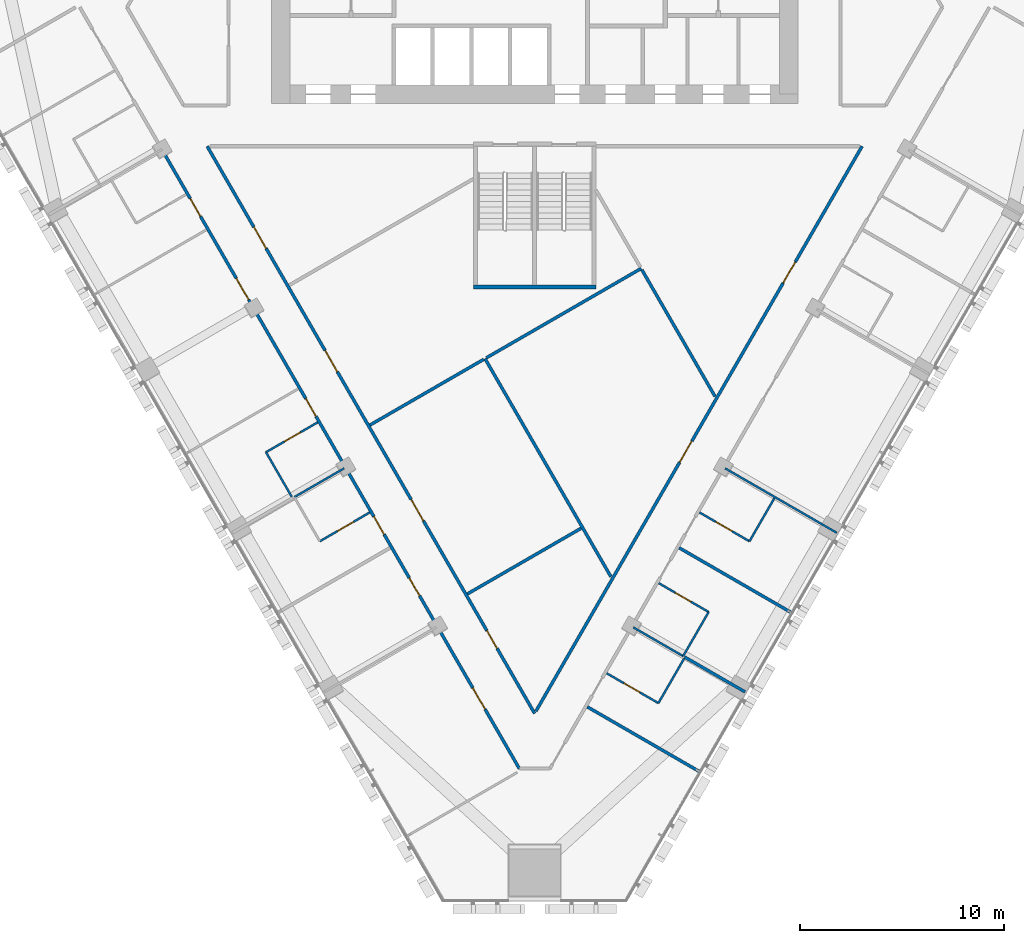
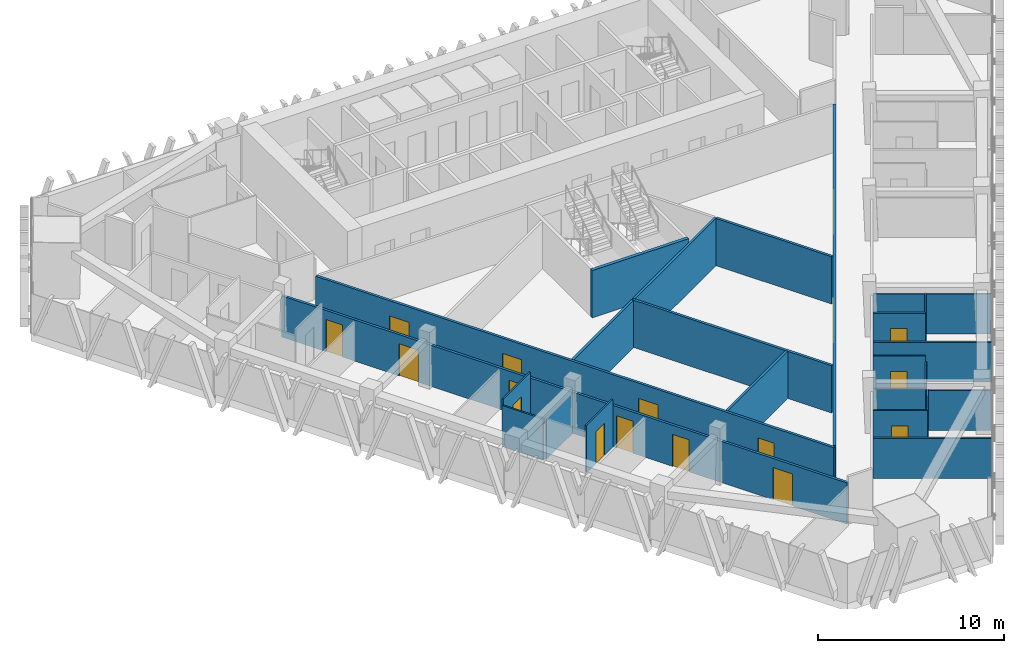
# One storey, part 9 of 16: 24 walls, 17 doors, 17 openings.
"""IFC4 building model written with IfcOpenShell, lengths in metres."""

from ifc_helpers import new_model, si_unit, direction, frame, frame_2d, origin, place, context, subcontext, project, spatial, rectangle, extrude, material, layer, layer_set, type_object, element, fill, save


model = new_model("IFC4")

# Units and contexts
model_context = context("Model", 3, precision=1e-05, world=origin(), true_north=direction((0.0, 1.0)))
body_context = subcontext(model_context, "Body", "Model", "MODEL_VIEW")
ifc_project = project(units=[si_unit("LENGTHUNIT", "METRE"), si_unit("AREAUNIT", "SQUARE_METRE"), si_unit("VOLUMEUNIT", "CUBIC_METRE"), si_unit("PLANEANGLEUNIT", "RADIAN"), si_unit("MASSUNIT", "GRAM", prefix="KILO")], contexts=[model_context])

# Site, building, storey
site_placement = place(None, origin())
site = spatial("IfcSite", under=ifc_project, at=site_placement, CompositionType="ELEMENT")
building_placement = place(site_placement, origin())
building = spatial("IfcBuilding", under=site, at=building_placement, Name="Altiplano Prism Tower", CompositionType="ELEMENT")
storey_placement = place(building_placement, frame((0.0, 0.0, 73.800048828125)))
storey = spatial("IfcBuildingStorey", under=building, at=storey_placement, Name="L18", CompositionType="ELEMENT", Elevation=73.800048828125)

# Wall
ifc_material_1 = material(Name="Plasterboard on steel stud", Category="steel")
ifc_layer_1 = layer(ifc_material_1, 0.10009765625)
ifc_layer_set_1 = layer_set([ifc_layer_1], Name="Plasterboard on steel stud")
wall_type_1 = type_object("IfcWallType", Name="Partition 100 unit", PredefinedType="PARTITIONING", material=ifc_layer_set_1)
wall_1_placement = place(storey_placement, frame((73.096923828125, 73.218994140625, 0.0), z_axis=(0.0, 0.0, 1.0), x_axis=(-0.499976333282, 0.866039067339, 0.0)))
element("IfcWall", 1, at=wall_1_placement, inside=storey, type_object=wall_type_1, Name="Partition P02 L18 042", PredefinedType="PARTITIONING", context=body_context, shape_type="SweptSolid", body=[
    extrude(rectangle(XDim=2.52490234375, YDim=0.10009765625, at=frame_2d((1.262451171875, 0.0))), origin(), (0.0, 0.0, 1.0), 2.699951171875),
])

# Wall, opening, door
wall_2_placement = place(storey_placement, frame((71.83447265625, 75.40576171875, 0.0), z_axis=(0.0, 0.0, 1.0), x_axis=(0.866025730634, 0.499999433879, 0.0)))
wall_2 = element("IfcWall", 2, at=wall_2_placement, inside=storey, type_object=wall_type_1, Name="Partition P02 L18 043", PredefinedType="PARTITIONING", context=body_context, shape_type="SweptSolid", body=[
    extrude(rectangle(XDim=2.9248046875, YDim=0.10009765625, at=frame_2d((1.46240234375, 0.0))), origin(), (0.0, 0.0, 1.0), 3.099853515625),
])
opening_1_placement = place(wall_2_placement, frame((1.050048828125, 0.0, 0.0)))
opening_1 = element("IfcOpeningElement", 3, at=opening_1_placement, cuts=wall_2, Name="Opening D0693", PredefinedType="OPENING", context=body_context, shape_type="SweptSolid", body=[
    extrude(rectangle(XDim=0.89990234375, YDim=2.10009765625, at=frame_2d((0.449951171875, 1.050048828125))), frame((0.0, 0.060546875, 0.0), z_axis=(0.0, -1.0, 0.0), x_axis=(1.0, 0.0, 0.0)), (0.0, 0.0, 1.0), 0.12109375),
])
ifc_material_2 = material(Name="Timber", Category="wood")
door_type_1 = type_object("IfcDoorType", Name="Ensuite door 900 x 2100", OperationType="NOTDEFINED", PredefinedType="NOTDEFINED", material=ifc_material_2)
door_1_placement = place(opening_1_placement, origin())
door_1 = element("IfcDoor", 4, at=door_1_placement, inside=storey, type_object=door_type_1, Name="Door D0693", OperationType="SINGLE_SWING_LEFT", OverallHeight=2.10009765625, OverallWidth=0.89990234375, PredefinedType="NOTDEFINED", context=body_context, shape_type="SweptSolid", body=[
    extrude(rectangle(XDim=0.89990234375, YDim=2.10009765625, at=frame_2d((0.449951171875, 1.050048828125))), frame((0.0, 0.02490234375, 0.0), z_axis=(0.0, -1.0, 0.0), x_axis=(1.0, 0.0, 0.0)), (0.0, 0.0, 1.0), 0.050048828125),
])
fill(opening_1, door_1)

wall_3_placement = place(storey_placement, frame((76.91748046875, 72.451416015625, 0.0), z_axis=(0.0, 0.0, 1.0), x_axis=(-0.866011447264, -0.500024172624, 0.0)))
wall_3 = element("IfcWall", 5, at=wall_3_placement, inside=storey, type_object=wall_type_1, Name="Partition P02 L18 046", PredefinedType="PARTITIONING", context=body_context, shape_type="SweptSolid", body=[
    extrude(rectangle(XDim=2.824951171875, YDim=0.10009765625, at=frame_2d((1.41259765625, 0.0))), origin(), (0.0, 0.0, 1.0), 3.099853515625),
])
opening_2_placement = place(wall_3_placement, frame((0.925048828125, 0.0, 0.0)))
opening_2 = element("IfcOpeningElement", 6, at=opening_2_placement, cuts=wall_3, Name="Opening D0695", PredefinedType="OPENING", context=body_context, shape_type="SweptSolid", body=[
    extrude(rectangle(XDim=0.89990234375, YDim=2.10009765625, at=frame_2d((0.449951171875, 1.050048828125))), frame((0.0, 0.060546875, 0.0), z_axis=(0.0, -1.0, 0.0), x_axis=(1.0, 0.0, 0.0)), (0.0, 0.0, 1.0), 0.12109375),
])
door_2_placement = place(opening_2_placement, origin())
door_2 = element("IfcDoor", 7, at=door_2_placement, inside=storey, type_object=door_type_1, Name="Door D0695", OperationType="SINGLE_SWING_LEFT", OverallHeight=2.10009765625, OverallWidth=0.89990234375, PredefinedType="NOTDEFINED", context=body_context, shape_type="SweptSolid", body=[
    extrude(rectangle(XDim=0.89990234375, YDim=2.10009765625, at=frame_2d((0.449951171875, 1.050048828125))), frame((0.0, 0.02490234375, 0.0), z_axis=(0.0, -1.0, 0.0), x_axis=(1.0, 0.0, 0.0)), (0.0, 0.0, 1.0), 0.050048828125),
])
fill(opening_2, door_2)

# Wall
wall_4_placement = place(storey_placement, frame((92.328125, 65.294921875, 0.0), z_axis=(0.0, 0.0, 1.0), x_axis=(-0.499976333282, -0.866039067339, 0.0)))
element("IfcWall", 8, at=wall_4_placement, inside=storey, type_object=wall_type_1, Name="Partition P02 L18 052", PredefinedType="PARTITIONING", context=body_context, shape_type="SweptSolid", body=[
    extrude(rectangle(XDim=2.52490234375, YDim=0.10009765625, at=frame_2d((1.262451171875, 0.0))), origin(), (0.0, 0.0, 1.0), 2.699951171875),
])

# Wall, opening, door
wall_5_placement = place(storey_placement, frame((91.065673828125, 63.108154296875, 0.0), z_axis=(0.0, 0.0, 1.0), x_axis=(-0.866046596414, 0.499963291492, 0.0)))
wall_5 = element("IfcWall", 9, at=wall_5_placement, inside=storey, type_object=wall_type_1, Name="Partition P02 L18 053", PredefinedType="PARTITIONING", context=body_context, shape_type="SweptSolid", body=[
    extrude(rectangle(XDim=2.925048828125, YDim=0.10009765625, at=frame_2d((1.46240234375, 0.0))), origin(), (0.0, 0.0, 1.0), 3.099853515625),
])
opening_3_placement = place(wall_5_placement, frame((1.050048828125, 0.0, 0.0)))
opening_3 = element("IfcOpeningElement", 10, at=opening_3_placement, cuts=wall_5, Name="Opening D0700", PredefinedType="OPENING", context=body_context, shape_type="SweptSolid", body=[
    extrude(rectangle(XDim=0.89990234375, YDim=2.10009765625, at=frame_2d((0.449951171875, 1.050048828125))), frame((0.0, 0.060546875, 0.0), z_axis=(0.0, -1.0, 0.0), x_axis=(1.0, 0.0, 0.0)), (0.0, 0.0, 1.0), 0.12109375),
])
door_3_placement = place(opening_3_placement, origin())
door_3 = element("IfcDoor", 11, at=door_3_placement, inside=storey, type_object=door_type_1, Name="Door D0700", OperationType="SINGLE_SWING_LEFT", OverallHeight=2.10009765625, OverallWidth=0.89990234375, PredefinedType="NOTDEFINED", context=body_context, shape_type="SweptSolid", body=[
    extrude(rectangle(XDim=0.89990234375, YDim=2.10009765625, at=frame_2d((0.449951171875, 1.050048828125))), frame((0.0, 0.02490234375, 0.0), z_axis=(0.0, -1.0, 0.0), x_axis=(1.0, 0.0, 0.0)), (0.0, 0.0, 1.0), 0.050048828125),
])
fill(opening_3, door_3)

wall_6_placement = place(storey_placement, frame((91.08251953125, 68.9873046875, 0.0), z_axis=(0.0, 0.0, 1.0), x_axis=(0.866011447264, -0.500024172624, 0.0)))
wall_6 = element("IfcWall", 12, at=wall_6_placement, inside=storey, type_object=wall_type_1, Name="Partition P02 L18 056", PredefinedType="PARTITIONING", context=body_context, shape_type="SweptSolid", body=[
    extrude(rectangle(XDim=2.824951171875, YDim=0.10009765625, at=frame_2d((1.41259765625, 0.0))), origin(), (0.0, 0.0, 1.0), 3.099853515625),
])
opening_4_placement = place(wall_6_placement, frame((0.925048828125, 0.0, 0.0)))
opening_4 = element("IfcOpeningElement", 13, at=opening_4_placement, cuts=wall_6, Name="Opening D0702", PredefinedType="OPENING", context=body_context, shape_type="SweptSolid", body=[
    extrude(rectangle(XDim=0.89990234375, YDim=2.10009765625, at=frame_2d((0.449951171875, 1.050048828125))), frame((0.0, 0.060546875, 0.0), z_axis=(0.0, -1.0, 0.0), x_axis=(1.0, 0.0, 0.0)), (0.0, 0.0, 1.0), 0.12109375),
])
door_4_placement = place(opening_4_placement, origin())
door_4 = element("IfcDoor", 14, at=door_4_placement, inside=storey, type_object=door_type_1, Name="Door D0702", OperationType="SINGLE_SWING_LEFT", OverallHeight=2.10009765625, OverallWidth=0.89990234375, PredefinedType="NOTDEFINED", context=body_context, shape_type="SweptSolid", body=[
    extrude(rectangle(XDim=0.89990234375, YDim=2.10009765625, at=frame_2d((0.449951171875, 1.050048828125))), frame((0.0, 0.02490234375, 0.0), z_axis=(0.0, -1.0, 0.0), x_axis=(1.0, 0.0, 0.0)), (0.0, 0.0, 1.0), 0.050048828125),
])
fill(opening_4, door_4)

# Walls
wall_7_placement = place(storey_placement, frame((93.529052734375, 67.57470703125, 0.0), z_axis=(0.0, 0.0, 1.0), x_axis=(-0.500004234368, -0.866022959057, 0.0)))
element("IfcWall", 15, at=wall_7_placement, inside=storey, type_object=wall_type_1, Name="Partition P02 L18 057", PredefinedType="PARTITIONING", context=body_context, shape_type="SweptSolid", body=[
    extrude(rectangle(XDim=2.5, YDim=0.10009765625, at=frame_2d((1.25, 0.0))), origin(), (0.0, 0.0, 1.0), 2.699951171875),
])
wall_8_placement = place(storey_placement, frame((96.75390625, 73.16064453125, 0.0), z_axis=(0.0, 0.0, 1.0), x_axis=(-0.499943856944, -0.866057815567, 0.0)))
element("IfcWall", 16, at=wall_8_placement, inside=storey, type_object=wall_type_1, Name="Partition P02 L18 059", PredefinedType="PARTITIONING", context=body_context, shape_type="SweptSolid", body=[
    extrude(rectangle(XDim=2.449951171875, YDim=0.10009765625, at=frame_2d((1.22509765625, 0.0))), origin(), (0.0, 0.0, 1.0), 2.699951171875),
])

# Wall, opening, door
wall_9_placement = place(storey_placement, frame((95.529052734375, 71.038818359375, 0.0), z_axis=(0.0, 0.0, 1.0), x_axis=(-0.866011447264, 0.500024172624, 0.0)))
wall_9 = element("IfcWall", 17, at=wall_9_placement, inside=storey, type_object=wall_type_1, Name="Partition P02 L18 060", PredefinedType="PARTITIONING", context=body_context, shape_type="SweptSolid", body=[
    extrude(rectangle(XDim=2.824951171875, YDim=0.10009765625, at=frame_2d((1.41259765625, 0.0))), origin(), (0.0, 0.0, 1.0), 3.099853515625),
])
opening_5_placement = place(wall_9_placement, frame((1.0, 0.0, 0.0)))
opening_5 = element("IfcOpeningElement", 18, at=opening_5_placement, cuts=wall_9, Name="Opening D0704", PredefinedType="OPENING", context=body_context, shape_type="SweptSolid", body=[
    extrude(rectangle(XDim=0.89990234375, YDim=2.10009765625, at=frame_2d((0.449951171875, 1.050048828125))), frame((0.0, 0.060546875, 0.0), z_axis=(0.0, -1.0, 0.0), x_axis=(1.0, 0.0, 0.0)), (0.0, 0.0, 1.0), 0.12109375),
])
door_5_placement = place(opening_5_placement, origin())
door_5 = element("IfcDoor", 19, at=door_5_placement, inside=storey, type_object=door_type_1, Name="Door D0704", OperationType="SINGLE_SWING_RIGHT", OverallHeight=2.10009765625, OverallWidth=0.89990234375, PredefinedType="NOTDEFINED", context=body_context, shape_type="SweptSolid", body=[
    extrude(rectangle(XDim=0.89990234375, YDim=2.10009765625, at=frame_2d((0.449951171875, 1.050048828125))), frame((0.0, 0.02490234375, 0.0), z_axis=(0.0, -1.0, 0.0), x_axis=(1.0, 0.0, 0.0)), (0.0, 0.0, 1.0), 0.050048828125),
])
fill(opening_5, door_5)

# Walls
ifc_layer_2 = layer(ifc_material_1, 0.10009765625)
ifc_layer_set_2 = layer_set([ifc_layer_2], Name="Plasterboard on steel stud")
wall_type_2 = type_object("IfcWallType", Name="Partition 100 wet", PredefinedType="PARTITIONING", material=ifc_layer_set_2)
for number, where, z_axis, x_axis, name in (
    (20, (73.220947265625, 73.2041015625, 0.0), (0.0, 0.0, 1.0), (0.866048868473, 0.499959355765, 0.0), "Partition P03 L18 045"),
    (21, (92.279052734375, 65.40966796875, 0.0), (0.0, 0.0, 1.0), (-0.866011447264, 0.500024172624, 0.0), "Partition P03 L18 055"),
):
    element("IfcWall", number, at=place(storey_placement, frame(where, z_axis=z_axis, x_axis=x_axis)), inside=storey, type_object=wall_type_2, Name=name, PredefinedType="PARTITIONING", context=body_context, shape_type="SweptSolid", body=[
        extrude(rectangle(XDim=2.824951171875, YDim=0.10009765625, at=frame_2d((1.41259765625, 0.0))), origin(), (0.0, 0.0, 1.0), 2.699951171875),
    ])
wall_10_placement = place(storey_placement, frame((99.81005859375, 71.4541015625, 0.0), z_axis=(0.0, 0.0, 1.0), x_axis=(-0.866032601554, 0.49998753289, 0.0)))
element("IfcWall", 22, at=wall_10_placement, inside=storey, type_object=wall_type_2, Name="Partition P03 L18 061", PredefinedType="PARTITIONING", context=body_context, shape_type="SweptSolid", body=[
    extrude(rectangle(XDim=6.324951171875, YDim=0.10009765625, at=frame_2d((3.16259765625, 0.0))), origin(), (0.0, 0.0, 1.0), 2.599853515625),
])

# Wall, openings, doors
ifc_layer_3 = layer(ifc_material_1, 0.14990234375)
ifc_layer_set_3 = layer_set([ifc_layer_3], Name="Plasterboard on steel stud")
wall_type_3 = type_object("IfcWallType", Name="Partition 150 corridor", PredefinedType="PARTITIONING", material=ifc_layer_set_3)
wall_11_placement = place(storey_placement, frame((66.732421875, 90.242431640625, 0.0), z_axis=(0.0, 0.0, 1.0), x_axis=(0.500004906105, -0.866022571225, 0.0)))
wall_11 = element("IfcWall", 23, at=wall_11_placement, inside=storey, type_object=wall_type_3, Name="Partition P06 L18 011", PredefinedType="PARTITIONING", context=body_context, shape_type="SweptSolid", body=[
    extrude(rectangle(XDim=35.041259765625, YDim=0.14990234375, at=frame_2d((17.5205078125, 0.0))), origin(), (0.0, 0.0, 1.0), 2.699951171875),
])
opening_6_placement = place(wall_11_placement, frame((2.780029296875, 0.0, 0.0)))
opening_6 = element("IfcOpeningElement", 24, at=opening_6_placement, cuts=wall_11, Name="Opening D0689", PredefinedType="OPENING", context=body_context, shape_type="SweptSolid", body=[
    extrude(rectangle(XDim=1.0, YDim=2.10009765625, at=frame_2d((0.5, 1.050048828125))), frame((0.0, 0.08544921875, 0.0), z_axis=(0.0, -1.0, 0.0), x_axis=(1.0, 0.0, 0.0)), (0.0, 0.0, 1.0), 0.1708984375),
])
opening_7_placement = place(wall_11_placement, frame((7.300048828125, 0.0, 0.0)))
opening_7 = element("IfcOpeningElement", 25, at=opening_7_placement, cuts=wall_11, Name="Opening D0691", PredefinedType="OPENING", context=body_context, shape_type="SweptSolid", body=[
    extrude(rectangle(XDim=1.199951171875, YDim=2.10009765625, at=frame_2d((0.60009765625, 1.050048828125))), frame((0.0, 0.08544921875, 0.0), z_axis=(0.0, -1.0, 0.0), x_axis=(1.0, 0.0, 0.0)), (0.0, 0.0, 1.0), 0.1708984375),
])
opening_8_placement = place(wall_11_placement, frame((14.10498046875, 0.0, 0.0)))
opening_8 = element("IfcOpeningElement", 26, at=opening_8_placement, cuts=wall_11, Name="Opening D0692", PredefinedType="OPENING", context=body_context, shape_type="SweptSolid", body=[
    extrude(rectangle(XDim=1.0, YDim=2.10009765625, at=frame_2d((0.5, 1.050048828125))), frame((0.0, 0.08544921875, 0.0), z_axis=(0.0, -1.0, 0.0), x_axis=(1.0, 0.0, 0.0)), (0.0, 0.0, 1.0), 0.1708984375),
])
opening_9_placement = place(wall_11_placement, frame((20.780029296875, 0.0, 0.0)))
opening_9 = element("IfcOpeningElement", 27, at=opening_9_placement, cuts=wall_11, Name="Opening D0694", PredefinedType="OPENING", context=body_context, shape_type="SweptSolid", body=[
    extrude(rectangle(XDim=1.0, YDim=2.10009765625, at=frame_2d((0.5, 1.050048828125))), frame((0.0, 0.08544921875, 0.0), z_axis=(0.0, -1.0, 0.0), x_axis=(1.0, 0.0, 0.0)), (0.0, 0.0, 1.0), 0.1708984375),
])
opening_10_placement = place(wall_11_placement, frame((24.25, 0.0, 0.0)))
opening_10 = element("IfcOpeningElement", 28, at=opening_10_placement, cuts=wall_11, Name="Opening D0696", PredefinedType="OPENING", context=body_context, shape_type="SweptSolid", body=[
    extrude(rectangle(XDim=1.0, YDim=2.10009765625, at=frame_2d((0.5, 1.050048828125))), frame((0.0, 0.08544921875, 0.0), z_axis=(0.0, -1.0, 0.0), x_axis=(1.0, 0.0, 0.0)), (0.0, 0.0, 1.0), 0.1708984375),
])
opening_11_placement = place(wall_11_placement, frame((30.472900390625, 0.0, 0.0)))
opening_11 = element("IfcOpeningElement", 29, at=opening_11_placement, cuts=wall_11, Name="Opening D0697", PredefinedType="OPENING", context=body_context, shape_type="SweptSolid", body=[
    extrude(rectangle(XDim=1.199951171875, YDim=2.10009765625, at=frame_2d((0.60009765625, 1.050048828125))), frame((0.0, 0.08544921875, 0.0), z_axis=(0.0, -1.0, 0.0), x_axis=(1.0, 0.0, 0.0)), (0.0, 0.0, 1.0), 0.1708984375),
])
door_type_2 = type_object("IfcDoorType", Name="Bedroom entrance door 1000 x 2100", OperationType="NOTDEFINED", PredefinedType="NOTDEFINED", material=ifc_material_2)
door_6_placement = place(opening_6_placement, origin())
door_6 = element("IfcDoor", 30, at=door_6_placement, inside=storey, type_object=door_type_2, Name="Door D0689", OperationType="SINGLE_SWING_LEFT", OverallHeight=2.10009765625, OverallWidth=1.0, PredefinedType="NOTDEFINED", context=body_context, shape_type="SweptSolid", body=[
    extrude(rectangle(XDim=1.0, YDim=2.10009765625, at=frame_2d((0.5, 1.050048828125))), frame((0.0, 0.02490234375, 0.0), z_axis=(0.0, -1.0, 0.0), x_axis=(1.0, 0.0, 0.0)), (0.0, 0.0, 1.0), 0.050048828125),
])
fill(opening_6, door_6)
door_7_placement = place(opening_8_placement, origin())
door_7 = element("IfcDoor", 31, at=door_7_placement, inside=storey, type_object=door_type_2, Name="Door D0692", OperationType="SINGLE_SWING_RIGHT", OverallHeight=2.10009765625, OverallWidth=1.0, PredefinedType="NOTDEFINED", context=body_context, shape_type="SweptSolid", body=[
    extrude(rectangle(XDim=1.0, YDim=2.10009765625, at=frame_2d((0.5, 1.050048828125))), frame((0.0, 0.02490234375, 0.0), z_axis=(0.0, -1.0, 0.0), x_axis=(1.0, 0.0, 0.0)), (0.0, 0.0, 1.0), 0.050048828125),
])
fill(opening_8, door_7)
door_8_placement = place(opening_9_placement, origin())
door_8 = element("IfcDoor", 32, at=door_8_placement, inside=storey, type_object=door_type_2, Name="Door D0694", OperationType="SINGLE_SWING_LEFT", OverallHeight=2.10009765625, OverallWidth=1.0, PredefinedType="NOTDEFINED", context=body_context, shape_type="SweptSolid", body=[
    extrude(rectangle(XDim=1.0, YDim=2.10009765625, at=frame_2d((0.5, 1.050048828125))), frame((0.0, 0.02490234375, 0.0), z_axis=(0.0, -1.0, 0.0), x_axis=(1.0, 0.0, 0.0)), (0.0, 0.0, 1.0), 0.050048828125),
])
fill(opening_9, door_8)
door_type_3 = type_object("IfcDoorType", Name="Room door 1000 x 2100", OperationType="NOTDEFINED", PredefinedType="NOTDEFINED", material=ifc_material_2)
door_9_placement = place(opening_10_placement, origin())
door_9 = element("IfcDoor", 33, at=door_9_placement, inside=storey, type_object=door_type_3, Name="Door D0696", OperationType="SINGLE_SWING_LEFT", OverallHeight=2.10009765625, OverallWidth=1.0, PredefinedType="NOTDEFINED", context=body_context, shape_type="SweptSolid", body=[
    extrude(rectangle(XDim=1.0, YDim=2.10009765625, at=frame_2d((0.5, 1.050048828125))), frame((0.0, 0.02490234375, 0.0), z_axis=(0.0, -1.0, 0.0), x_axis=(1.0, 0.0, 0.0)), (0.0, 0.0, 1.0), 0.050048828125),
])
fill(opening_10, door_9)
door_type_4 = type_object("IfcDoorType", Name="Shared room door 1200 x 2100", OperationType="NOTDEFINED", PredefinedType="NOTDEFINED", material=ifc_material_2)
door_10_placement = place(opening_7_placement, origin())
door_10 = element("IfcDoor", 34, at=door_10_placement, inside=storey, type_object=door_type_4, Name="Door D0691", OperationType="SINGLE_SWING_LEFT", OverallHeight=2.10009765625, OverallWidth=1.199951171875, PredefinedType="NOTDEFINED", context=body_context, shape_type="SweptSolid", body=[
    extrude(rectangle(XDim=1.199951171875, YDim=2.10009765625, at=frame_2d((0.60009765625, 1.050048828125))), frame((0.0, 0.02490234375, 0.0), z_axis=(0.0, -1.0, 0.0), x_axis=(1.0, 0.0, 0.0)), (0.0, 0.0, 1.0), 0.050048828125),
])
fill(opening_7, door_10)
door_11_placement = place(opening_11_placement, origin())
door_11 = element("IfcDoor", 35, at=door_11_placement, inside=storey, type_object=door_type_4, Name="Door D0697", OperationType="SINGLE_SWING_LEFT", OverallHeight=2.10009765625, OverallWidth=1.199951171875, PredefinedType="NOTDEFINED", context=body_context, shape_type="SweptSolid", body=[
    extrude(rectangle(XDim=1.199951171875, YDim=2.10009765625, at=frame_2d((0.60009765625, 1.050048828125))), frame((0.0, 0.02490234375, 0.0), z_axis=(0.0, -1.0, 0.0), x_axis=(1.0, 0.0, 0.0)), (0.0, 0.0, 1.0), 0.050048828125),
])
fill(opening_11, door_11)

wall_12_placement = place(storey_placement, frame((101.049072265625, 90.39990234375, 0.0), z_axis=(0.0, 0.0, 1.0), x_axis=(-0.500000325473, -0.866025215872, 0.0)))
wall_12 = element("IfcWall", 36, at=wall_12_placement, inside=storey, type_object=wall_type_3, Name="Partition P06 L18 015", PredefinedType="PARTITIONING", context=body_context, shape_type="SweptSolid", body=[
    extrude(rectangle(XDim=31.96826171875, YDim=0.14990234375, at=frame_2d((15.984130859375, 0.0))), origin(), (0.0, 0.0, 1.0), 3.099853515625),
])
opening_12_placement = place(wall_12_placement, frame((16.69091796875, 0.0, 0.0)))
opening_12 = element("IfcOpeningElement", 37, at=opening_12_placement, cuts=wall_12, Name="Opening D0711", PredefinedType="OPENING", context=body_context, shape_type="SweptSolid", body=[
    extrude(rectangle(XDim=1.199951171875, YDim=2.10009765625, at=frame_2d((0.60009765625, 1.050048828125))), frame((0.0, 0.08544921875, 0.0), z_axis=(0.0, -1.0, 0.0), x_axis=(1.0, 0.0, 0.0)), (0.0, 0.0, 1.0), 0.1708984375),
])
opening_13_placement = place(wall_12_placement, frame((6.541015625, 0.0, 0.0)))
opening_13 = element("IfcOpeningElement", 38, at=opening_13_placement, cuts=wall_12, Name="Opening D0712", PredefinedType="OPENING", context=body_context, shape_type="SweptSolid", body=[
    extrude(rectangle(XDim=1.199951171875, YDim=2.10009765625, at=frame_2d((0.60009765625, 1.050048828125))), frame((0.0, 0.08544921875, 0.0), z_axis=(0.0, -1.0, 0.0), x_axis=(1.0, 0.0, 0.0)), (0.0, 0.0, 1.0), 0.1708984375),
])
door_12_placement = place(opening_12_placement, origin())
door_12 = element("IfcDoor", 39, at=door_12_placement, inside=storey, type_object=door_type_4, Name="Door D0711", OperationType="SINGLE_SWING_RIGHT", OverallHeight=2.10009765625, OverallWidth=1.199951171875, PredefinedType="NOTDEFINED", context=body_context, shape_type="SweptSolid", body=[
    extrude(rectangle(XDim=1.199951171875, YDim=2.10009765625, at=frame_2d((0.60009765625, 1.050048828125))), frame((0.0, 0.02490234375, 0.0), z_axis=(0.0, -1.0, 0.0), x_axis=(1.0, 0.0, 0.0)), (0.0, 0.0, 1.0), 0.050048828125),
])
fill(opening_12, door_12)
door_13_placement = place(opening_13_placement, origin())
door_13 = element("IfcDoor", 40, at=door_13_placement, inside=storey, type_object=door_type_4, Name="Door D0712", OperationType="SINGLE_SWING_RIGHT", OverallHeight=2.10009765625, OverallWidth=1.199951171875, PredefinedType="NOTDEFINED", context=body_context, shape_type="SweptSolid", body=[
    extrude(rectangle(XDim=1.199951171875, YDim=2.10009765625, at=frame_2d((0.60009765625, 1.050048828125))), frame((0.0, 0.02490234375, 0.0), z_axis=(0.0, -1.0, 0.0), x_axis=(1.0, 0.0, 0.0)), (0.0, 0.0, 1.0), 0.050048828125),
])
fill(opening_13, door_13)

wall_13_placement = place(storey_placement, frame((85.0, 62.602294921875, 0.0), z_axis=(0.0, 0.0, 1.0), x_axis=(-0.500002713669, 0.866023837041, 0.0)))
wall_13 = element("IfcWall", 41, at=wall_13_placement, inside=storey, type_object=wall_type_3, Name="Partition P06 L18 017", PredefinedType="PARTITIONING", context=body_context, shape_type="SweptSolid", body=[
    extrude(rectangle(XDim=32.097900390625, YDim=0.14990234375, at=frame_2d((16.048828125, 0.0))), origin(), (0.0, 0.0, 1.0), 3.099853515625),
])
opening_14_placement = place(wall_13_placement, frame((19.33203125, 0.0, 0.0)))
opening_14 = element("IfcOpeningElement", 42, at=opening_14_placement, cuts=wall_13, Name="Opening D0713", PredefinedType="OPENING", context=body_context, shape_type="SweptSolid", body=[
    extrude(rectangle(XDim=1.199951171875, YDim=2.10009765625, at=frame_2d((0.60009765625, 1.050048828125))), frame((0.0, 0.08544921875, 0.0), z_axis=(0.0, -1.0, 0.0), x_axis=(1.0, 0.0, 0.0)), (0.0, 0.0, 1.0), 0.1708984375),
])
opening_15_placement = place(wall_13_placement, frame((10.89794921875, 0.0, 0.0)))
opening_15 = element("IfcOpeningElement", 43, at=opening_15_placement, cuts=wall_13, Name="Opening D0715", PredefinedType="OPENING", context=body_context, shape_type="SweptSolid", body=[
    extrude(rectangle(XDim=1.199951171875, YDim=2.10009765625, at=frame_2d((0.60009765625, 1.050048828125))), frame((0.0, 0.08544921875, 0.0), z_axis=(0.0, -1.0, 0.0), x_axis=(1.0, 0.0, 0.0)), (0.0, 0.0, 1.0), 0.1708984375),
])
opening_16_placement = place(wall_13_placement, frame((26.318115234375, 0.0, 0.0)))
opening_16 = element("IfcOpeningElement", 44, at=opening_16_placement, cuts=wall_13, Name="Opening D0716", PredefinedType="OPENING", context=body_context, shape_type="SweptSolid", body=[
    extrude(rectangle(XDim=1.199951171875, YDim=2.10009765625, at=frame_2d((0.60009765625, 1.050048828125))), frame((0.0, 0.08544921875, 0.0), z_axis=(0.0, -1.0, 0.0), x_axis=(1.0, 0.0, 0.0)), (0.0, 0.0, 1.0), 0.1708984375),
])
opening_17_placement = place(wall_13_placement, frame((3.68603515625, 0.0, 0.0)))
opening_17 = element("IfcOpeningElement", 45, at=opening_17_placement, cuts=wall_13, Name="Opening D0717", PredefinedType="OPENING", context=body_context, shape_type="SweptSolid", body=[
    extrude(rectangle(XDim=1.0, YDim=2.10009765625, at=frame_2d((0.5, 1.050048828125))), frame((0.0, 0.08544921875, 0.0), z_axis=(0.0, -1.0, 0.0), x_axis=(1.0, 0.0, 0.0)), (0.0, 0.0, 1.0), 0.1708984375),
])
door_14_placement = place(opening_17_placement, origin())
door_14 = element("IfcDoor", 46, at=door_14_placement, inside=storey, type_object=door_type_3, Name="Door D0717", OperationType="SINGLE_SWING_LEFT", OverallHeight=2.10009765625, OverallWidth=1.0, PredefinedType="NOTDEFINED", context=body_context, shape_type="SweptSolid", body=[
    extrude(rectangle(XDim=1.0, YDim=2.10009765625, at=frame_2d((0.5, 1.050048828125))), frame((0.0, 0.02490234375, 0.0), z_axis=(0.0, -1.0, 0.0), x_axis=(1.0, 0.0, 0.0)), (0.0, 0.0, 1.0), 0.050048828125),
])
fill(opening_17, door_14)
door_15_placement = place(opening_14_placement, origin())
door_15 = element("IfcDoor", 47, at=door_15_placement, inside=storey, type_object=door_type_4, Name="Door D0713", OperationType="SINGLE_SWING_RIGHT", OverallHeight=2.10009765625, OverallWidth=1.199951171875, PredefinedType="NOTDEFINED", context=body_context, shape_type="SweptSolid", body=[
    extrude(rectangle(XDim=1.199951171875, YDim=2.10009765625, at=frame_2d((0.60009765625, 1.050048828125))), frame((0.0, 0.02490234375, 0.0), z_axis=(0.0, -1.0, 0.0), x_axis=(1.0, 0.0, 0.0)), (0.0, 0.0, 1.0), 0.050048828125),
])
fill(opening_14, door_15)
door_16_placement = place(opening_15_placement, origin())
door_16 = element("IfcDoor", 48, at=door_16_placement, inside=storey, type_object=door_type_4, Name="Door D0715", OperationType="SINGLE_SWING_LEFT", OverallHeight=2.10009765625, OverallWidth=1.199951171875, PredefinedType="NOTDEFINED", context=body_context, shape_type="SweptSolid", body=[
    extrude(rectangle(XDim=1.199951171875, YDim=2.10009765625, at=frame_2d((0.60009765625, 1.050048828125))), frame((0.0, 0.02490234375, 0.0), z_axis=(0.0, -1.0, 0.0), x_axis=(1.0, 0.0, 0.0)), (0.0, 0.0, 1.0), 0.050048828125),
])
fill(opening_15, door_16)
door_17_placement = place(opening_16_placement, origin())
door_17 = element("IfcDoor", 49, at=door_17_placement, inside=storey, type_object=door_type_4, Name="Door D0716", OperationType="SINGLE_SWING_RIGHT", OverallHeight=2.10009765625, OverallWidth=1.199951171875, PredefinedType="NOTDEFINED", context=body_context, shape_type="SweptSolid", body=[
    extrude(rectangle(XDim=1.199951171875, YDim=2.10009765625, at=frame_2d((0.60009765625, 1.050048828125))), frame((0.0, 0.02490234375, 0.0), z_axis=(0.0, -1.0, 0.0), x_axis=(1.0, 0.0, 0.0)), (0.0, 0.0, 1.0), 0.050048828125),
])
fill(opening_16, door_17)

# Walls
ifc_layer_4 = layer(ifc_material_1, 0.14990234375)
ifc_layer_set_4 = layer_set([ifc_layer_4], Name="Plasterboard on steel stud")
wall_type_4 = type_object("IfcWallType", Name="Partition 150 party", PredefinedType="PARTITIONING", material=ifc_layer_set_4)
wall_14_placement = place(storey_placement, frame((93.07763671875, 59.75244140625, 0.0), z_axis=(0.0, 0.0, 1.0), x_axis=(-0.866025401434, 0.500000004071, 0.0)))
element("IfcWall", 50, at=wall_14_placement, inside=storey, type_object=wall_type_4, Name="Partition P01 L18 051", PredefinedType="PARTITIONING", context=body_context, shape_type="SweptSolid", body=[
    extrude(rectangle(XDim=6.34521484375, YDim=0.14990234375, at=frame_2d((3.172607421875, 0.0))), origin(), (0.0, 0.0, 1.0), 2.599853515625),
])
wall_15_placement = place(storey_placement, frame((95.31005859375, 63.65966796875, 0.0), z_axis=(0.0, 0.0, 1.0), x_axis=(-0.866007273829, 0.50003140069, 0.0)))
element("IfcWall", 51, at=wall_15_placement, inside=storey, type_object=wall_type_4, Name="Partition P01 L18 054", PredefinedType="PARTITIONING", context=body_context, shape_type="SweptSolid", body=[
    extrude(rectangle(XDim=3.420166015625, YDim=0.14990234375, at=frame_2d((1.7099609375, 0.0))), origin(), (0.0, 0.0, 1.0), 2.599853515625),
])
wall_16_placement = place(storey_placement, frame((97.57763671875, 67.546875, 0.0), z_axis=(0.0, 0.0, 1.0), x_axis=(-0.866025401434, 0.500000004071, 0.0)))
element("IfcWall", 52, at=wall_16_placement, inside=storey, type_object=wall_type_4, Name="Partition P01 L18 058", PredefinedType="PARTITIONING", context=body_context, shape_type="SweptSolid", body=[
    extrude(rectangle(XDim=6.34521484375, YDim=0.14990234375, at=frame_2d((3.172607421875, 0.0))), origin(), (0.0, 0.0, 1.0), 2.599853515625),
])
wall_17_placement = place(storey_placement, frame((93.840087890625, 78.138916015625, 0.0), z_axis=(0.0, 0.0, 1.0), x_axis=(-0.500001675373, 0.866024436505, 0.0)))
element("IfcWall", 53, at=wall_17_placement, inside=storey, type_object=wall_type_4, Name="Partition P01 L18 072", PredefinedType="PARTITIONING", context=body_context, shape_type="SweptSolid", body=[
    extrude(rectangle(XDim=7.1650390625, YDim=0.14990234375, at=frame_2d((3.58251953125, 0.0))), origin(), (0.0, 0.0, 1.0), 3.099853515625),
])
wall_18_placement = place(storey_placement, frame((90.219970703125, 84.408935546875, 0.0), z_axis=(0.0, 0.0, 1.0), x_axis=(-0.866022229689, -0.500005497654, 0.0)))
element("IfcWall", 54, at=wall_18_placement, inside=storey, type_object=wall_type_4, Name="Partition P01 L18 073", PredefinedType="PARTITIONING", context=body_context, shape_type="SweptSolid", body=[
    extrude(rectangle(XDim=8.7607421875, YDim=0.14990234375, at=frame_2d((4.38037109375, 0.0))), origin(), (0.0, 0.0, 1.0), 3.099853515625),
])
wall_19_placement = place(storey_placement, frame((82.568115234375, 79.9912109375, 0.0), z_axis=(0.0, 0.0, 1.0), x_axis=(0.499987872132, -0.866032405699, 0.0)))
element("IfcWall", 55, at=wall_19_placement, inside=storey, type_object=wall_type_4, Name="Partition P01 L18 074", PredefinedType="PARTITIONING", context=body_context, shape_type="SweptSolid", body=[
    extrude(rectangle(XDim=12.341552734375, YDim=0.14990234375, at=frame_2d((6.1708984375, 0.0))), origin(), (0.0, 0.0, 1.0), 3.099853515625),
])
wall_20_placement = place(storey_placement, frame((76.92724609375, 76.734375, 0.0), z_axis=(0.0, 0.0, 1.0), x_axis=(0.866027091653, 0.499997076515, 0.0)))
element("IfcWall", 56, at=wall_20_placement, inside=storey, type_object=wall_type_4, Name="Partition P01 L18 076", PredefinedType="PARTITIONING", context=body_context, shape_type="SweptSolid", body=[
    extrude(rectangle(XDim=6.4384765625, YDim=0.14990234375, at=frame_2d((3.21923828125, 0.0))), origin(), (0.0, 0.0, 1.0), 3.099853515625),
])
wall_21_placement = place(storey_placement, frame((81.705078125, 68.45947265625, 0.0), z_axis=(0.0, 0.0, 1.0), x_axis=(0.866034031594, 0.499985055897, 0.0)))
element("IfcWall", 57, at=wall_21_placement, inside=storey, type_object=wall_type_4, Name="Partition P01 L18 078", PredefinedType="PARTITIONING", context=body_context, shape_type="SweptSolid", body=[
    extrude(rectangle(XDim=6.438232421875, YDim=0.14990234375, at=frame_2d((3.21923828125, 0.0))), origin(), (0.0, 0.0, 1.0), 3.099853515625),
])
ifc_material_3 = material(Name="Concrete C60/75", Category="concrete")
ifc_layer_5 = layer(ifc_material_3, 0.199951171875)
ifc_layer_set_5 = layer_set([ifc_layer_5], Name="Concrete C60/75")
wall_type_5 = type_object("IfcWallType", Name="Stair wall 200", PredefinedType="SOLIDWALL", material=ifc_layer_set_5)
wall_22_placement = place(storey_placement, frame((82.0, 83.5, 0.0), z_axis=(0.0, 0.0, 1.0), x_axis=(1.0, 0.0, 0.0)))
element("IfcWall", 58, at=wall_22_placement, inside=storey, type_object=wall_type_5, Name="Stair 3 wall south L18", PredefinedType="SOLIDWALL", context=body_context, shape_type="SweptSolid", body=[
    extrude(rectangle(XDim=6.0, YDim=0.199951171875, at=frame_2d((3.0, 0.0))), origin(), (0.0, 0.0, 1.0), 3.099853515625),
])

save(model, "model.ifc")
